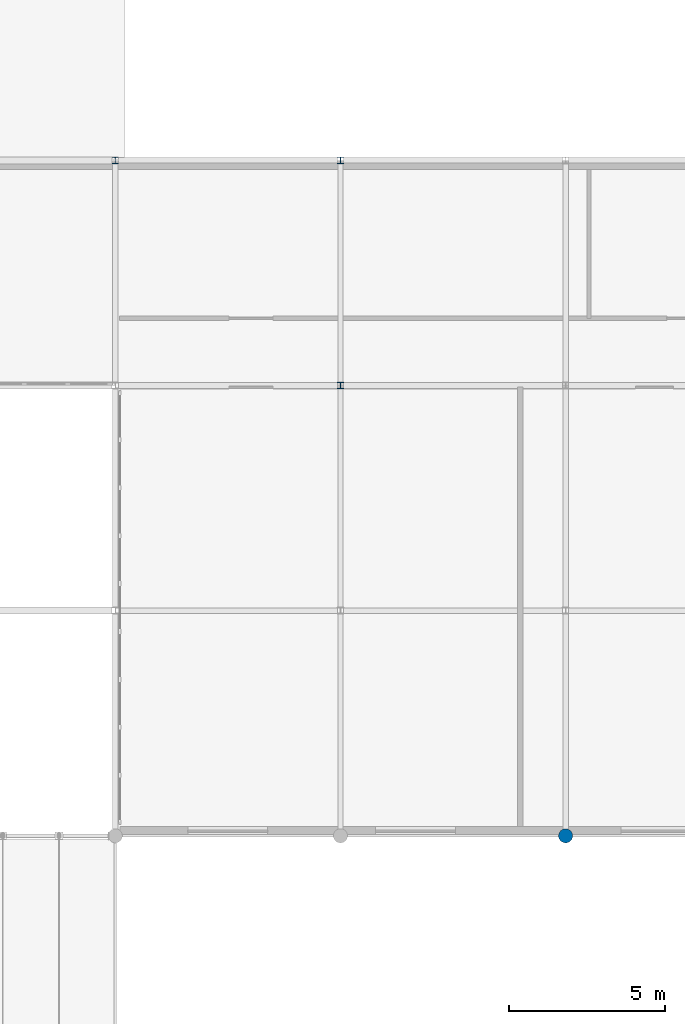
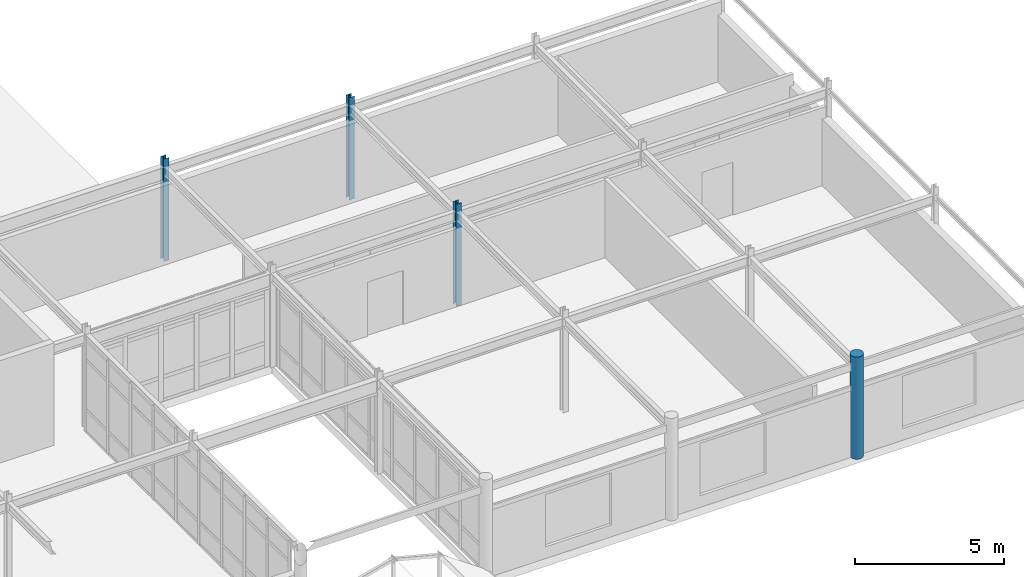
# One storey, part 8 of 85: 4 columns.
"""IFC4 building model written with IfcOpenShell, lengths in metres."""

from ifc_helpers import new_model, si_unit, direction, frame, origin, origin_2d, place, context, subcontext, project, spatial, circle, i_section, extrude, material, material_profile, profile_set, type_object, element, save


model = new_model("IFC4")

# Units and contexts
model_context = context("Model", 3, precision=1e-05, world=origin(), true_north=direction((0.0, 1.0)))
body_context = subcontext(model_context, "Body", "Model", "MODEL_VIEW")
ifc_project = project(units=[si_unit("LENGTHUNIT", "METRE"), si_unit("AREAUNIT", "SQUARE_METRE"), si_unit("VOLUMEUNIT", "CUBIC_METRE"), si_unit("PLANEANGLEUNIT", "RADIAN"), si_unit("MASSUNIT", "GRAM", prefix="KILO")], contexts=[model_context])

# Site, building, storey
site_placement = place(None, origin())
site = spatial("IfcSite", under=ifc_project, at=site_placement, CompositionType="ELEMENT")
building_placement = place(site_placement, origin())
building = spatial("IfcBuilding", under=site, at=building_placement, Name="Ochrevale Crest", CompositionType="ELEMENT")
storey_placement = place(building_placement, frame((0.0, 0.0, 4.5)))
storey = spatial("IfcBuildingStorey", under=building, at=storey_placement, Name="L01", CompositionType="ELEMENT", Elevation=4.5)

# Columns
ifc_material_1 = material(Name="Precast concrete C40/50", Category="concrete")
ifc_material_profile_1 = material_profile(ifc_material_1, circle(Radius=0.22509765625, at=origin_2d()), Name="RC D450")
ifc_profile_set_1 = profile_set([ifc_material_profile_1], Name="Precast concrete C40/50")
column_type_1 = type_object("IfcColumnType", Name="COL-RCD450", PredefinedType="COLUMN", material=ifc_profile_set_1)
column_placement = place(storey_placement, frame((100.800048828125, 7.199951171875, 0.0), z_axis=(0.0, 0.0, 1.0), x_axis=(1.0, 0.0, 0.0)))
element("IfcColumn", 1, at=column_placement, inside=storey, type_object=column_type_1, Name="Retail arcade L01 column (100.8,7.2)", PredefinedType="COLUMN", context=body_context, shape_type="SweptSolid", body=[
    extrude(circle(Radius=0.22509765625, at=origin_2d()), origin(), (0.0, 0.0, 1.0), 4.199951171875),
])
ifc_material_2 = material(Name="Steel S355", Category="steel")
ifc_material_profile_2 = material_profile(ifc_material_2, i_section(OverallWidth=0.203125, OverallDepth=0.203369140625, WebThickness=0.00732421875, FlangeThickness=0.010986328125, FilletRadius=0.01025390625, at=origin_2d()), Name="200UC46.2")
ifc_profile_set_2 = profile_set([ifc_material_profile_2], Name="Steel S355")
column_type_2 = type_object("IfcColumnType", Name="COL-UC200A", PredefinedType="COLUMN", material=ifc_profile_set_2)
for number, where, z_axis, x_axis, name in (
    (2, (86.39990234375, 28.800048828125, 0.0), (0.0, 0.0, 1.0), (1.0, 0.0, 0.0), "Retail arcade L01 column (86.4,28.8)"),
    (3, (93.60009765625, 21.60009765625, 0.0), (0.0, 0.0, 1.0), (1.0, 0.0, 0.0), "Retail arcade L01 column (93.6,21.6)"),
    (4, (93.60009765625, 28.800048828125, 0.0), (0.0, 0.0, 1.0), (1.0, 0.0, 0.0), "Retail arcade L01 column (93.6,28.8)"),
):
    element("IfcColumn", number, at=place(storey_placement, frame(where, z_axis=z_axis, x_axis=x_axis)), inside=storey, type_object=column_type_2, Name=name, PredefinedType="COLUMN", context=body_context, shape_type="SweptSolid", body=[
        extrude(i_section(OverallWidth=0.203125, OverallDepth=0.203369140625, WebThickness=0.00732421875, FlangeThickness=0.010986328125, FilletRadius=0.01025390625, at=origin_2d()), origin(), (0.0, 0.0, 1.0), 4.199951171875),
    ])

save(model, "model.ifc")
